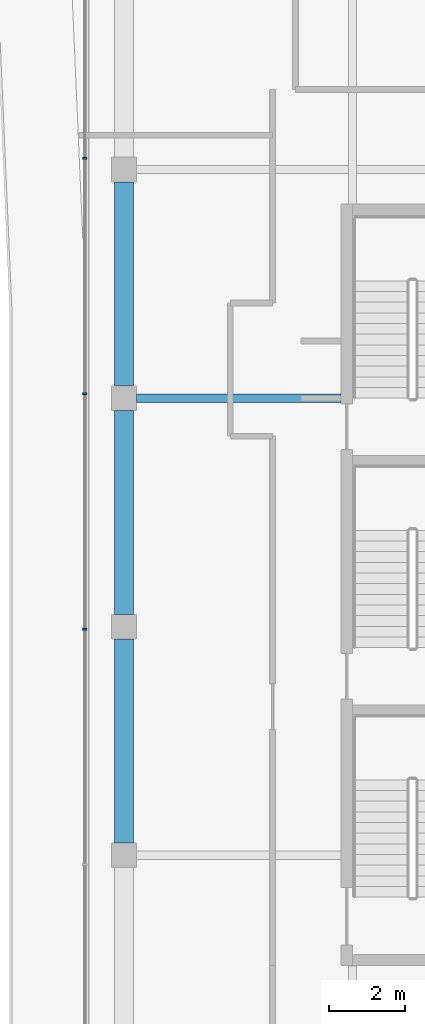
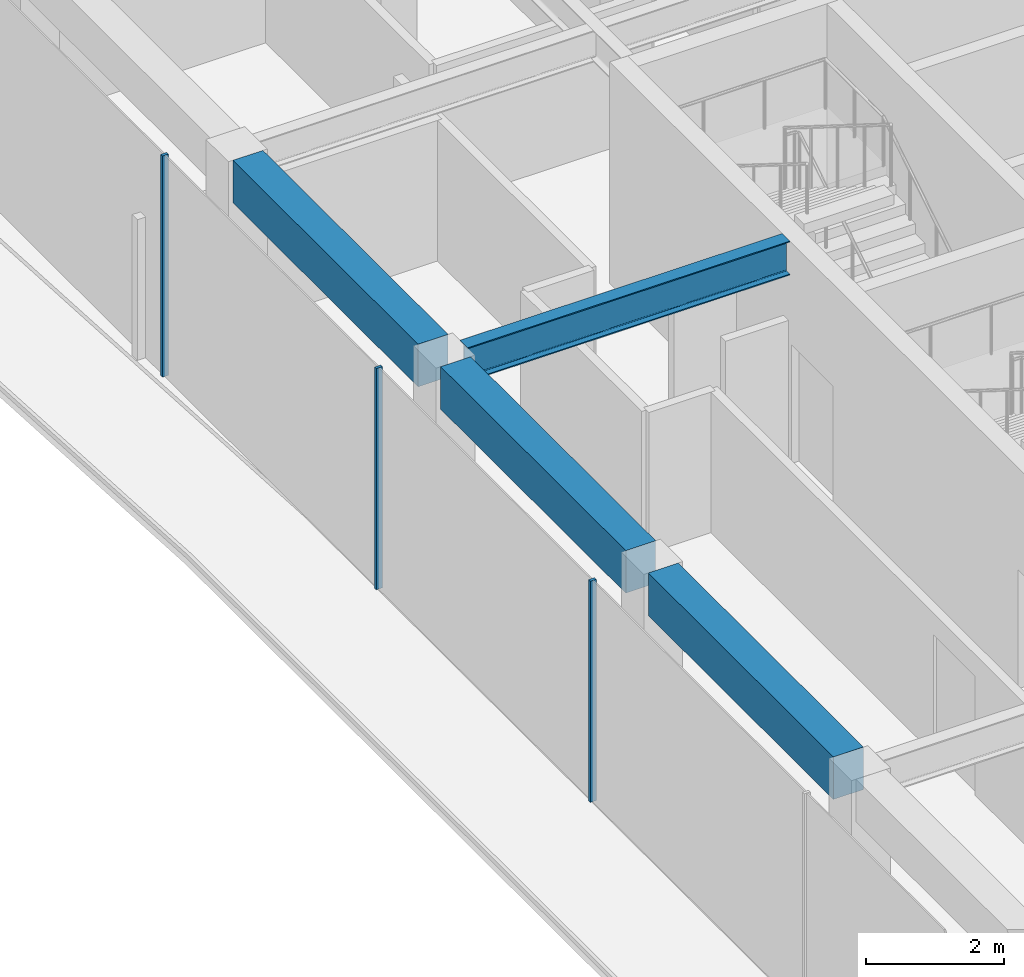
# One storey, part 4 of 19: 4 beams, 3 members, 1 element without a shape of its own.
"""IFC4 building model written with IfcOpenShell, lengths in metres."""

from ifc_helpers import new_model, si_unit, direction, frame, origin, origin_2d, place, context, subcontext, project, spatial, rectangle, i_section, extrude, material, layer, layer_set, material_profile, profile_set, type_object, element, aggregate, save


model = new_model("IFC4")

# Units and contexts
model_context = context("Model", 3, precision=1e-05, world=origin(), true_north=direction((0.0, 1.0)))
body_context = subcontext(model_context, "Body", "Model", "MODEL_VIEW")
ifc_project = project(units=[si_unit("LENGTHUNIT", "METRE"), si_unit("AREAUNIT", "SQUARE_METRE"), si_unit("VOLUMEUNIT", "CUBIC_METRE"), si_unit("PLANEANGLEUNIT", "RADIAN"), si_unit("MASSUNIT", "GRAM", prefix="KILO")], contexts=[model_context])

# Site, building, storey
site_placement = place(None, origin())
site = spatial("IfcSite", under=ifc_project, at=site_placement, CompositionType="ELEMENT")
building_placement = place(site_placement, origin())
building = spatial("IfcBuilding", under=site, at=building_placement, Name="Welwitschia Terrace Campus", CompositionType="ELEMENT")
storey_placement = place(building_placement, frame((0.0, 0.0, 323.0)))
storey = spatial("IfcBuildingStorey", under=building, at=storey_placement, Name="L72", CompositionType="ELEMENT", Elevation=323.0)

# Curtain wall, members
ifc_material_1 = material(Name="Bronze anodised aluminium", Category="aluminium")
ifc_layer = layer(ifc_material_1, 0.10009765625)
ifc_layer_set = layer_set([ifc_layer], Name="Bronze anodised aluminium")
curtain_wall_type = type_object("IfcCurtainWallType", Name="Curtain wall CW5 crown 6000", PredefinedType="NOTDEFINED", material=ifc_layer_set)
curtain_wall_placement = place(storey_placement, origin())
curtain_wall = element("IfcCurtainWall", 1, at=curtain_wall_placement, inside=storey, type_object=curtain_wall_type, Name="CW L72.9.0", PredefinedType="NOTDEFINED")
ifc_material_2 = material(Name="Bronze anodised aluminium", Category="aluminium")
ifc_material_profile_1 = material_profile(ifc_material_2, rectangle(XDim=0.10009765625, YDim=0.050048828125, at=origin_2d()))
ifc_profile_set_1 = profile_set([ifc_material_profile_1], Name="Bronze anodised aluminium")
member_type = type_object("IfcMemberType", Name="Mullion 50x100", PredefinedType="MULLION", material=ifc_profile_set_1)
member_1_placement = place(storey_placement, frame((-1.030029296875, 26.3017578125, 0.0), z_axis=(0.0, 0.0, 1.0), x_axis=(1.0, 0.0, 0.0)))
member_1 = element("IfcMember", 2, at=member_1_placement, type_object=member_type, Name="Mullion L72.9.0.4", PredefinedType="MULLION", context=body_context, shape_type="SweptSolid", body=[
    extrude(rectangle(XDim=0.10009765625, YDim=0.050048828125, at=origin_2d()), origin(), (0.0, 0.0, 1.0), 3.89990234375),
])
member_2_placement = place(storey_placement, frame((-1.030029296875, 20.11962890625, 0.0), z_axis=(0.0, 0.0, 1.0), x_axis=(1.0, 0.0, 0.0)))
member_2 = element("IfcMember", 3, at=member_2_placement, type_object=member_type, Name="Mullion L72.9.0.5", PredefinedType="MULLION", context=body_context, shape_type="SweptSolid", body=[
    extrude(rectangle(XDim=0.10009765625, YDim=0.050048828125, at=origin_2d()), origin(), (0.0, 0.0, 1.0), 3.89990234375),
])
member_3_placement = place(storey_placement, frame((-1.030029296875, 13.9375, 0.0), z_axis=(0.0, 0.0, 1.0), x_axis=(1.0, 0.0, 0.0)))
member_3 = element("IfcMember", 4, at=member_3_placement, type_object=member_type, Name="Mullion L72.9.0.6", PredefinedType="MULLION", context=body_context, shape_type="SweptSolid", body=[
    extrude(rectangle(XDim=0.10009765625, YDim=0.050048828125, at=origin_2d()), origin(), (0.0, 0.0, 1.0), 3.89990234375),
])
aggregate(curtain_wall, [member_1, member_2, member_3])

# Beams
ifc_material_3 = material(Name="Steel S355", Category="steel")
ifc_material_profile_2 = material_profile(ifc_material_3, i_section(OverallWidth=0.219970703125, OverallDepth=0.60009765625, WebThickness=0.011962890625, FlangeThickness=0.01904296875, FilletRadius=0.02392578125, at=origin_2d()))
ifc_profile_set_2 = profile_set([ifc_material_profile_2], Name="Steel S355")
beam_type_1 = type_object("IfcBeamType", Name="Primary beam IPE 600", PredefinedType="BEAM", material=ifc_profile_set_2)
beam_placement = place(storey_placement, frame((0.325439453125, 20.0, 3.60009765625), z_axis=(1.0, 0.0, 0.0), x_axis=(0.0, 1.0, 0.0)))
element("IfcBeam", 5, at=beam_placement, inside=storey, type_object=beam_type_1, Name="Primary beam PB7", PredefinedType="BEAM", context=body_context, shape_type="SweptSolid", body=[
    extrude(i_section(OverallWidth=0.219970703125, OverallDepth=0.60009765625, WebThickness=0.011962890625, FlangeThickness=0.01904296875, FilletRadius=0.02392578125, at=origin_2d()), origin(), (0.0, 0.0, 1.0), 5.37451171875),
])
ifc_material_4 = material(Name="Concrete C40/50", Category="concrete")
ifc_material_profile_3 = material_profile(ifc_material_4, rectangle(XDim=0.5, YDim=0.75, at=origin_2d()))
ifc_profile_set_3 = profile_set([ifc_material_profile_3], Name="Concrete C40/50")
beam_type_2 = type_object("IfcBeamType", Name="Ring spandrel 500x750", PredefinedType="SPANDREL", material=ifc_profile_set_3)
for number, where, z_axis, x_axis, name in (
    (6, (0.0, 25.674560546875, 3.52490234375), (0.0, -1.0, 0.0), (1.0, 0.0, 0.0), "Spandrel SP5"),
    (7, (0.0, 19.674560546875, 3.52490234375), (0.0, -1.0, 0.0), (1.0, 0.0, 0.0), "Spandrel SP5"),
    (8, (0.0, 13.674560546875, 3.52490234375), (0.0, -1.0, 0.0), (1.0, 0.0, 0.0), "Spandrel SP5"),
):
    element("IfcBeam", number, at=place(storey_placement, frame(where, z_axis=z_axis, x_axis=x_axis)), inside=storey, type_object=beam_type_2, Name=name, PredefinedType="SPANDREL", context=body_context, shape_type="SweptSolid", body=[
        extrude(rectangle(XDim=0.5, YDim=0.75, at=origin_2d()), origin(), (0.0, 0.0, 1.0), 5.34912109375),
    ])

save(model, "model.ifc")
